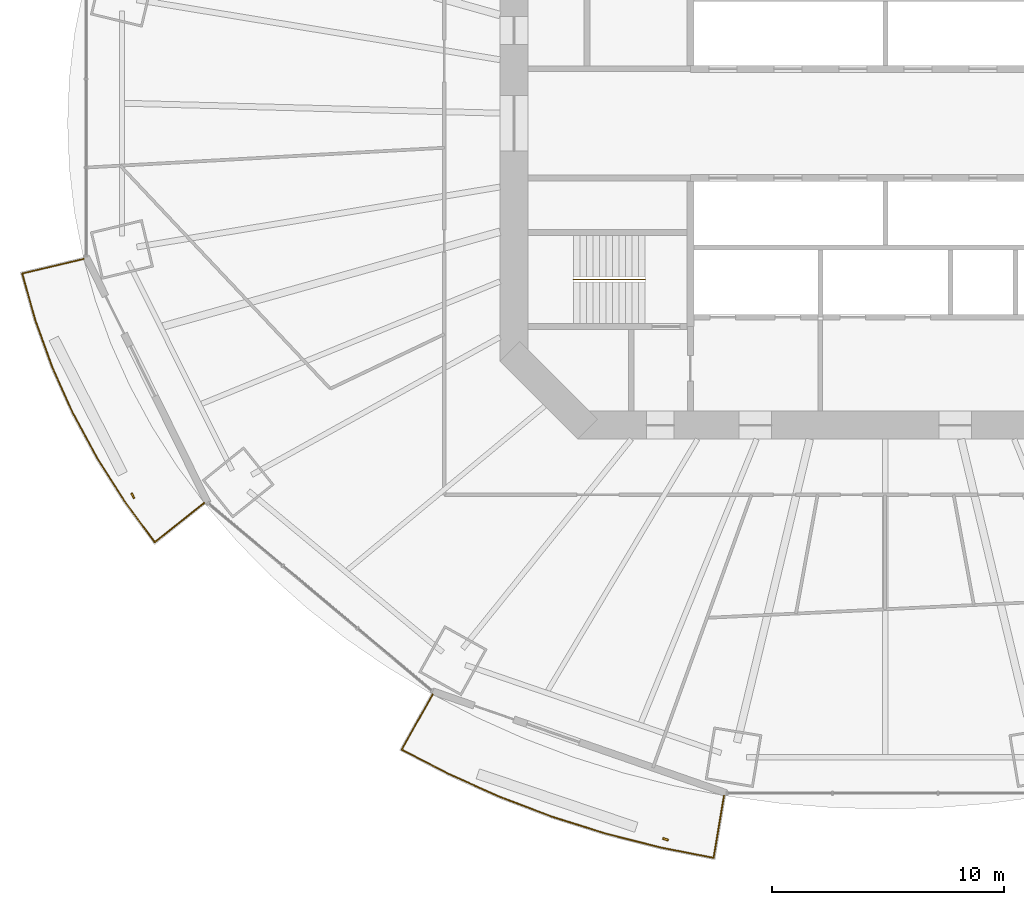
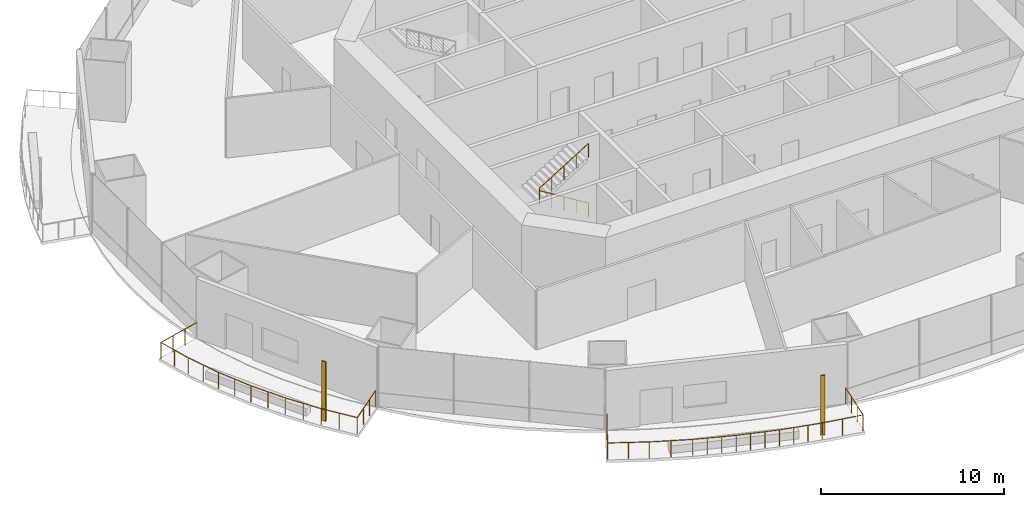
# One storey, part 17 of 22: 3 railings, 2 shading devices.
"""IFC4 building model written with IfcOpenShell, lengths in metres."""

from ifc_helpers import new_model, si_unit, direction, frame, origin, origin_2d, place, context, subcontext, project, spatial, rectangle, circle, extrude, material, material_profile, profile_set, type_object, element, save


model = new_model("IFC4")

# Units and contexts
model_context = context("Model", 3, precision=1e-05, world=origin(), true_north=direction((0.0, 1.0)))
body_context = subcontext(model_context, "Body", "Model", "MODEL_VIEW")
ifc_project = project(units=[si_unit("LENGTHUNIT", "METRE"), si_unit("AREAUNIT", "SQUARE_METRE"), si_unit("VOLUMEUNIT", "CUBIC_METRE"), si_unit("PLANEANGLEUNIT", "RADIAN"), si_unit("MASSUNIT", "GRAM", prefix="KILO")], contexts=[model_context])

# Site, building, storey
site_placement = place(None, origin())
site = spatial("IfcSite", under=ifc_project, at=site_placement, CompositionType="ELEMENT")
building_placement = place(site_placement, origin())
building = spatial("IfcBuilding", under=site, at=building_placement, Name="Marenthal Gate Tower", CompositionType="ELEMENT")
storey_placement = place(building_placement, frame((0.0, 0.0, 86.949951171875)))
storey = spatial("IfcBuildingStorey", under=building, at=storey_placement, Name="L17", CompositionType="ELEMENT", Elevation=86.949951171875)

# Railings
ifc_material_1 = material(Name="Stainless steel", Category="steel")
railing_type_1 = type_object("IfcRailingType", Name="Balcony guard 1100", PredefinedType="GUARDRAIL", material=ifc_material_1)
railing_1_placement = place(storey_placement, frame((-29.34326171875, -16.347900390625, 0.0)))
element("IfcRailing", 1, at=railing_1_placement, inside=storey, type_object=railing_type_1, Name="Balcony guard L17 bay 9", PredefinedType="GUARDRAIL", context=body_context, shape_type="SweptSolid", body=[
    extrude(circle(Radius=0.02392578125, at=origin_2d()), frame((0.0, 0.0, 1.076171875), z_axis=(-0.782218085053, -0.62283082954, -0.014718192514), x_axis=(0.622898300926, -0.782302822892, 0.0)), (0.0, 0.0, 1.0), 2.720458984375),
    extrude(circle(Radius=0.02392578125, at=origin_2d()), frame((-2.1279296875, -1.6943359375, 1.0361328125), z_axis=(-0.594617358606, 0.804008828835, 0.0), x_axis=(-0.804008828835, -0.594617358606, 0.0)), (0.0, 0.0, 1.0), 2.153564453125),
    extrude(circle(Radius=0.02392578125, at=origin_2d()), frame((-3.408447265625, 0.037109375, 1.0361328125), z_axis=(-0.537495639062, 0.843266528442, 0.0), x_axis=(-0.843266528442, -0.537495639062, 0.0)), (0.0, 0.0, 1.0), 2.215576171875),
    extrude(circle(Radius=0.02392578125, at=origin_2d()), frame((-4.599365234375, 1.905517578125, 1.0361328125), z_axis=(-0.475449699906, 0.879742907251, 0.0), x_axis=(-0.879742907251, -0.475449699906, 0.0)), (0.0, 0.0, 1.0), 2.19921875),
    extrude(circle(Radius=0.02392578125, at=origin_2d()), frame((-5.64501953125, 3.84033203125, 1.0361328125), z_axis=(-0.409495490191, 0.912312141492, 0.0), x_axis=(-0.912312141492, -0.409495490191, 0.0)), (0.0, 0.0, 1.0), 2.1845703125),
    extrude(circle(Radius=0.02392578125, at=origin_2d()), frame((-6.53955078125, 5.833251953125, 1.0361328125), z_axis=(-0.340172038454, 0.940363219322, 0.0), x_axis=(-0.940363219322, -0.340172038454, 0.0)), (0.0, 0.0, 1.0), 2.171630859375),
    extrude(circle(Radius=0.02392578125, at=origin_2d()), frame((-7.2783203125, 7.87548828125, 1.0361328125), z_axis=(-0.269294922849, 0.963057757628, 0.0), x_axis=(-0.963057757628, -0.269294922849, 0.0)), (0.0, 0.0, 1.0), 2.08154296875),
    extrude(circle(Radius=0.02392578125, at=origin_2d()), frame((-7.8388671875, 9.880126953125, 1.0361328125), z_axis=(0.972921871805, 0.230665056323, 0.014719482193), x_axis=(-0.230690048693, 0.973027287096, 0.0)), (0.0, 0.0, 1.0), 2.72021484375),
    extrude(circle(Radius=0.02099609375, at=origin_2d()), origin(), (0.0, 0.0, 1.0), 1.052001953125),
    extrude(circle(Radius=0.02099609375, at=origin_2d()), frame((-0.709228515625, -0.564697265625, -0.013427734375)), (0.0, 0.0, 1.0), 1.052001953125),
    extrude(circle(Radius=0.02099609375, at=origin_2d()), frame((-1.418701171875, -1.129638671875, -0.026611328125)), (0.0, 0.0, 1.0), 1.052001953125),
    extrude(circle(Radius=0.02099609375, at=origin_2d()), frame((-2.1279296875, -1.6943359375, -0.0400390625)), (0.0, 0.0, 1.0), 1.052001953125),
    extrude(circle(Radius=0.02099609375, at=origin_2d()), frame((-2.76806640625, -0.82861328125, -0.0400390625)), (0.0, 0.0, 1.0), 1.052001953125),
    extrude(circle(Radius=0.02099609375, at=origin_2d()), frame((-3.408447265625, 0.037109375, -0.0400390625)), (0.0, 0.0, 1.0), 1.052001953125),
    extrude(circle(Radius=0.02099609375, at=origin_2d()), frame((-4.00390625, 0.97119140625, -0.0400390625)), (0.0, 0.0, 1.0), 1.052001953125),
    extrude(circle(Radius=0.02099609375, at=origin_2d()), frame((-4.599365234375, 1.905517578125, -0.0400390625)), (0.0, 0.0, 1.0), 1.052001953125),
    extrude(circle(Radius=0.02099609375, at=origin_2d()), frame((-5.1220703125, 2.873046875, -0.0400390625)), (0.0, 0.0, 1.0), 1.052001953125),
    extrude(circle(Radius=0.02099609375, at=origin_2d()), frame((-5.64501953125, 3.84033203125, -0.0400390625)), (0.0, 0.0, 1.0), 1.052001953125),
    extrude(circle(Radius=0.02099609375, at=origin_2d()), frame((-6.09228515625, 4.8369140625, -0.0400390625)), (0.0, 0.0, 1.0), 1.052001953125),
    extrude(circle(Radius=0.02099609375, at=origin_2d()), frame((-6.53955078125, 5.833251953125, -0.0400390625)), (0.0, 0.0, 1.0), 1.052001953125),
    extrude(circle(Radius=0.02099609375, at=origin_2d()), frame((-6.908935546875, 6.8544921875, -0.0400390625)), (0.0, 0.0, 1.0), 1.052001953125),
    extrude(circle(Radius=0.02099609375, at=origin_2d()), frame((-7.2783203125, 7.87548828125, -0.0400390625)), (0.0, 0.0, 1.0), 1.052001953125),
    extrude(circle(Radius=0.02099609375, at=origin_2d()), frame((-7.55859375, 8.8779296875, -0.0400390625)), (0.0, 0.0, 1.0), 1.052001953125),
    extrude(circle(Radius=0.02099609375, at=origin_2d()), frame((-7.8388671875, 9.880126953125, -0.0400390625)), (0.0, 0.0, 1.0), 1.052001953125),
    extrude(circle(Radius=0.02099609375, at=origin_2d()), frame((-6.956787109375, 10.08935546875, -0.026611328125)), (0.0, 0.0, 1.0), 1.052001953125),
    extrude(circle(Radius=0.02099609375, at=origin_2d()), frame((-6.074462890625, 10.29833984375, -0.013427734375)), (0.0, 0.0, 1.0), 1.052001953125),
    extrude(circle(Radius=0.02099609375, at=origin_2d()), frame((-5.1923828125, 10.507568359375, 0.0)), (0.0, 0.0, 1.0), 1.052001953125),
])
railing_2_placement = place(storey_placement, frame((-6.9521484375, -28.957275390625, 0.0)))
element("IfcRailing", 2, at=railing_2_placement, inside=storey, type_object=railing_type_1, Name="Balcony guard L17 bay 11", PredefinedType="GUARDRAIL", context=body_context, shape_type="SweptSolid", body=[
    extrude(circle(Radius=0.02392578125, at=origin_2d()), frame((0.0, 0.0, 1.076171875), z_axis=(-0.164599482451, -0.986250661205, -0.014718819587), x_axis=(0.986357511038, -0.164617315064, 0.0)), (0.0, 0.0, 1.0), 2.72021484375),
    extrude(circle(Radius=0.02392578125, at=origin_2d()), frame((-0.44775390625, -2.682861328125, 1.0361328125), z_axis=(-0.981243578155, 0.19277199052, 0.0), x_axis=(-0.19277199052, -0.981243578155, 0.0)), (0.0, 0.0, 1.0), 2.359375),
    extrude(circle(Radius=0.02392578125, at=origin_2d()), frame((-2.762939453125, -2.22802734375, 1.0361328125), z_axis=(-0.969141273658, 0.246505966848, 0.0), x_axis=(-0.246505966848, -0.969141273658, 0.0)), (0.0, 0.0, 1.0), 2.429443359375),
    extrude(circle(Radius=0.02392578125, at=origin_2d()), frame((-5.117431640625, -1.629150390625, 1.0361328125), z_axis=(-0.953649791478, 0.300918718616, 0.0), x_axis=(-0.300918718616, -0.953649791478, 0.0)), (0.0, 0.0, 1.0), 2.417724609375),
    extrude(circle(Radius=0.02392578125, at=origin_2d()), frame((-7.423095703125, -0.901611328125, 1.0361328125), z_axis=(-0.934801116304, 0.355171610573, 0.0), x_axis=(-0.355171610573, -0.934801116304, 0.0)), (0.0, 0.0, 1.0), 2.40380859375),
    extrude(circle(Radius=0.02392578125, at=origin_2d()), frame((-9.670166015625, -0.0478515625, 1.0361328125), z_axis=(-0.912542222384, 0.408982508631, 0.0), x_axis=(-0.408982508631, -0.912542222384, 0.0)), (0.0, 0.0, 1.0), 2.3876953125),
    extrude(circle(Radius=0.02392578125, at=origin_2d()), frame((-11.84912109375, 0.9287109375, 1.0361328125), z_axis=(-0.887216801235, 0.461352736642, 0.0), x_axis=(-0.461352736642, -0.887216801235, 0.0)), (0.0, 0.0, 1.0), 2.290771484375),
    extrude(circle(Radius=0.02392578125, at=origin_2d()), frame((-13.881591796875, 1.985595703125, 1.0361328125), z_axis=(0.489023148101, 0.872146623829, 0.01471825955), x_axis=(-0.872241104505, 0.489076124557, 0.0)), (0.0, 0.0, 1.0), 2.720458984375),
    extrude(circle(Radius=0.02099609375, at=origin_2d()), origin(), (0.0, 0.0, 1.0), 1.052001953125),
    extrude(circle(Radius=0.02099609375, at=origin_2d()), frame((-0.149169921875, -0.894287109375, -0.013427734375)), (0.0, 0.0, 1.0), 1.052001953125),
    extrude(circle(Radius=0.02099609375, at=origin_2d()), frame((-0.298583984375, -1.78857421875, -0.026611328125)), (0.0, 0.0, 1.0), 1.052001953125),
    extrude(circle(Radius=0.02099609375, at=origin_2d()), frame((-0.44775390625, -2.682861328125, -0.0400390625)), (0.0, 0.0, 1.0), 1.052001953125),
    extrude(circle(Radius=0.02099609375, at=origin_2d()), frame((-1.60546875, -2.45556640625, -0.0400390625)), (0.0, 0.0, 1.0), 1.052001953125),
    extrude(circle(Radius=0.02099609375, at=origin_2d()), frame((-2.762939453125, -2.22802734375, -0.0400390625)), (0.0, 0.0, 1.0), 1.052001953125),
    extrude(circle(Radius=0.02099609375, at=origin_2d()), frame((-3.5478515625, -2.0283203125, -0.0400390625)), (0.0, 0.0, 1.0), 1.052001953125),
    extrude(circle(Radius=0.02099609375, at=origin_2d()), frame((-4.33251953125, -1.828857421875, -0.0400390625)), (0.0, 0.0, 1.0), 1.052001953125),
    extrude(circle(Radius=0.02099609375, at=origin_2d()), frame((-5.117431640625, -1.629150390625, -0.0400390625)), (0.0, 0.0, 1.0), 1.052001953125),
    extrude(circle(Radius=0.02099609375, at=origin_2d()), frame((-5.885986328125, -1.38671875, -0.0400390625)), (0.0, 0.0, 1.0), 1.052001953125),
    extrude(circle(Radius=0.02099609375, at=origin_2d()), frame((-6.654541015625, -1.14404296875, -0.0400390625)), (0.0, 0.0, 1.0), 1.052001953125),
    extrude(circle(Radius=0.02099609375, at=origin_2d()), frame((-7.423095703125, -0.901611328125, -0.0400390625)), (0.0, 0.0, 1.0), 1.052001953125),
    extrude(circle(Radius=0.02099609375, at=origin_2d()), frame((-8.172119140625, -0.616943359375, -0.0400390625)), (0.0, 0.0, 1.0), 1.052001953125),
    extrude(circle(Radius=0.02099609375, at=origin_2d()), frame((-8.921142578125, -0.33251953125, -0.0400390625)), (0.0, 0.0, 1.0), 1.052001953125),
    extrude(circle(Radius=0.02099609375, at=origin_2d()), frame((-9.670166015625, -0.0478515625, -0.0400390625)), (0.0, 0.0, 1.0), 1.052001953125),
    extrude(circle(Radius=0.02099609375, at=origin_2d()), frame((-10.759765625, 0.4404296875, -0.0400390625)), (0.0, 0.0, 1.0), 1.052001953125),
    extrude(circle(Radius=0.02099609375, at=origin_2d()), frame((-11.84912109375, 0.9287109375, -0.0400390625)), (0.0, 0.0, 1.0), 1.052001953125),
    extrude(circle(Radius=0.02099609375, at=origin_2d()), frame((-12.865234375, 1.45703125, -0.0400390625)), (0.0, 0.0, 1.0), 1.052001953125),
    extrude(circle(Radius=0.02099609375, at=origin_2d()), frame((-13.881591796875, 1.985595703125, -0.0400390625)), (0.0, 0.0, 1.0), 1.052001953125),
    extrude(circle(Radius=0.02099609375, at=origin_2d()), frame((-13.438232421875, 2.7763671875, -0.026611328125)), (0.0, 0.0, 1.0), 1.052001953125),
    extrude(circle(Radius=0.02099609375, at=origin_2d()), frame((-12.99462890625, 3.5673828125, -0.013427734375)), (0.0, 0.0, 1.0), 1.052001953125),
    extrude(circle(Radius=0.02099609375, at=origin_2d()), frame((-12.55126953125, 4.358154296875, 0.0)), (0.0, 0.0, 1.0), 1.052001953125),
])
ifc_material_2 = material(Name="Stainless steel", Category="steel")
railing_type_2 = type_object("IfcRailingType", Name="Stair handrail", PredefinedType="HANDRAIL", material=ifc_material_2)
railing_3_placement = place(storey_placement, frame((-10.35009765625, -6.72509765625, 0.1728515625)))
element("IfcRailing", 3, at=railing_3_placement, inside=storey, type_object=railing_type_2, Name="Handrail ST2", PredefinedType="HANDRAIL", context=body_context, shape_type="SweptSolid", body=[
    extrude(circle(Radius=0.0224609375, at=origin_2d()), frame((0.0, 0.0, 0.927490234375), z_axis=(-0.850816621229, 0.0, 0.525462726595), x_axis=(0.0, -1.0, 0.0)), (0.0, 0.0, 1.0), 3.619873046875),
    extrude(circle(Radius=0.0224609375, at=origin_2d()), frame((-3.079833984375, 0.0, 2.82958984375), z_axis=(0.0, 0.0, 1.0), x_axis=(1.0, 0.0, 0.0)), (0.0, 0.0, 1.0), 0.173095703125),
    extrude(circle(Radius=0.0224609375, at=origin_2d()), frame((-3.079833984375, 0.0, 3.002685546875), z_axis=(0.850816621229, 0.0, 0.525462726595), x_axis=(0.0, 1.0, 0.0)), (0.0, 0.0, 1.0), 3.619873046875),
    extrude(circle(Radius=0.02001953125, at=origin_2d()), origin(), (0.0, 0.0, 1.0), 0.905029296875),
    extrude(circle(Radius=0.02001953125, at=origin_2d()), frame((-0.77001953125, 0.0, 0.4755859375)), (0.0, 0.0, 1.0), 0.905029296875),
    extrude(circle(Radius=0.02001953125, at=origin_2d()), frame((-1.5400390625, 0.0, 0.951171875)), (0.0, 0.0, 1.0), 0.905029296875),
    extrude(circle(Radius=0.02001953125, at=origin_2d()), frame((-2.309814453125, 0.0, 1.426513671875)), (0.0, 0.0, 1.0), 0.905029296875),
    extrude(circle(Radius=0.02001953125, at=origin_2d()), frame((-3.079833984375, 0.0, 1.902099609375)), (0.0, 0.0, 1.0), 0.905029296875),
    extrude(circle(Radius=0.02001953125, at=origin_2d()), frame((-3.079833984375, 0.0, 2.0751953125)), (0.0, 0.0, 1.0), 0.905029296875),
    extrude(circle(Radius=0.02001953125, at=origin_2d()), frame((-2.309814453125, 0.0, 2.55078125)), (0.0, 0.0, 1.0), 0.905029296875),
    extrude(circle(Radius=0.02001953125, at=origin_2d()), frame((-1.5400390625, 0.0, 3.0263671875)), (0.0, 0.0, 1.0), 0.905029296875),
    extrude(circle(Radius=0.02001953125, at=origin_2d()), frame((-0.77001953125, 0.0, 3.501708984375)), (0.0, 0.0, 1.0), 0.905029296875),
    extrude(circle(Radius=0.02001953125, at=origin_2d()), frame((0.0, 0.0, 3.977294921875)), (0.0, 0.0, 1.0), 0.905029296875),
])

# Shading devices
ifc_material_3 = material(Name="Terracotta", Category="masonry")
ifc_material_profile = material_profile(ifc_material_3, rectangle(XDim=0.25, YDim=0.080078125, at=origin_2d()), Name="Terracotta baguette 250x80")
ifc_profile_set = profile_set([ifc_material_profile], Name="Terracotta")
shading_device_type = type_object("IfcShadingDeviceType", Name="Terracotta BAGUETTE SCREEN 250x80", PredefinedType="USERDEFINED", material=ifc_profile_set)
for number, where, z_axis, x_axis, name in (
    (4, (-32.4189453125, -16.041015625, -0.0400390625), (0.0, 0.0, 1.0), (0.442860405886, -0.896590575959, 0.0), "Terracotta BAGUETTE L17 bay 9R"),
    (5, (-9.471923828125, -30.837646484375, -0.0400390625), (0.0, 0.0, 1.0), (0.944634232614, -0.328125230017, 0.0), "Terracotta BAGUETTE L17 bay 11R"),
):
    element("IfcShadingDevice", number, at=place(storey_placement, frame(where, z_axis=z_axis, x_axis=x_axis)), inside=storey, type_object=shading_device_type, Name=name, ObjectType="BAGUETTE SCREEN", PredefinedType="USERDEFINED", context=body_context, shape_type="SweptSolid", body=[
        extrude(rectangle(XDim=0.25, YDim=0.080078125, at=origin_2d()), origin(), (0.0, 0.0, 1.0), 3.969970703125),
    ])

save(model, "model.ifc")
